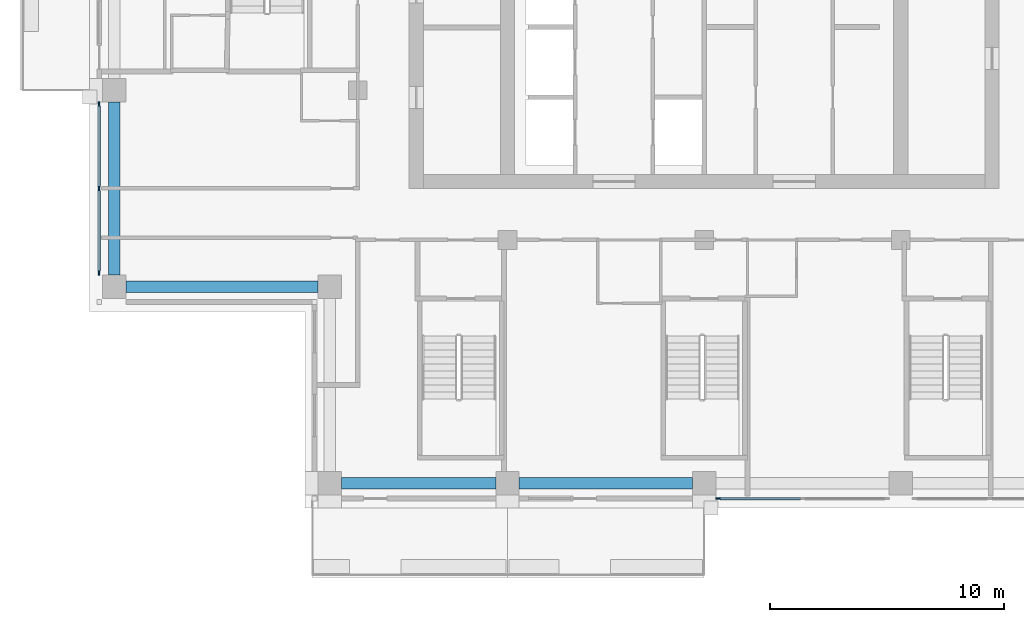
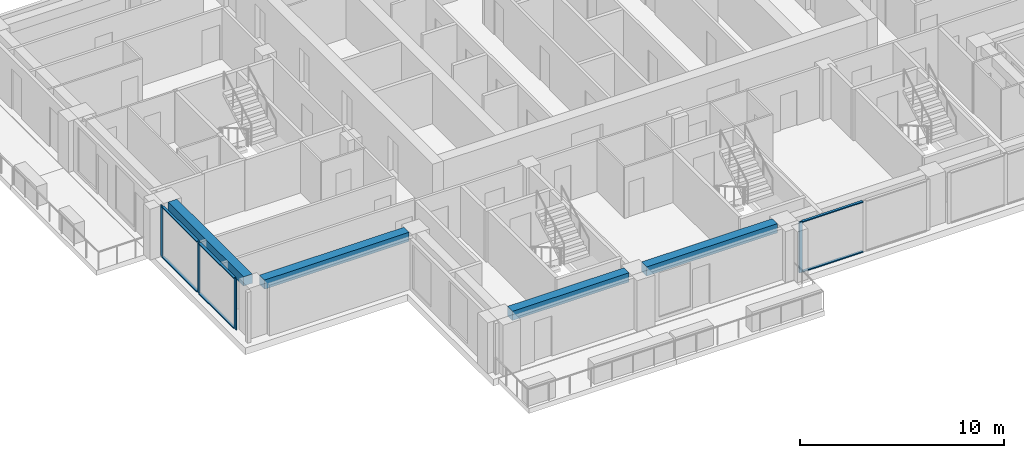
# One storey, part 2 of 17: 10 members, 4 beams, 2 elements without a shape of their own.
"""IFC4 building model written with IfcOpenShell, lengths in metres."""

from ifc_helpers import new_model, si_unit, direction, frame, origin, origin_2d, place, context, subcontext, project, spatial, rectangle, extrude, material, material_profile, profile_set, type_object, element, aggregate, save


model = new_model("IFC4")

# Units and contexts
model_context = context("Model", 3, precision=1e-05, world=origin(), true_north=direction((0.0, 1.0)))
body_context = subcontext(model_context, "Body", "Model", "MODEL_VIEW")
ifc_project = project(units=[si_unit("LENGTHUNIT", "METRE"), si_unit("AREAUNIT", "SQUARE_METRE"), si_unit("VOLUMEUNIT", "CUBIC_METRE"), si_unit("PLANEANGLEUNIT", "RADIAN"), si_unit("MASSUNIT", "GRAM", prefix="KILO")], contexts=[model_context])

# Site, building, storey
site_placement = place(None, origin())
site = spatial("IfcSite", under=ifc_project, at=site_placement, CompositionType="ELEMENT")
building_placement = place(site_placement, origin())
building = spatial("IfcBuilding", under=site, at=building_placement, Name="Vermilion Ogive Tower", CompositionType="ELEMENT")
storey_placement = place(building_placement, frame((0.0, 0.0, 196.25)))
storey = spatial("IfcBuildingStorey", under=building, at=storey_placement, Name="L51", CompositionType="ELEMENT", Elevation=196.25)

# Curtain wall, member
ifc_material_1 = material(Name="Low-iron laminated glazing in aluminium frame", Category="aluminium")
curtain_wall_type = type_object("IfcCurtainWallType", Name="Curtain wall CW7", PredefinedType="NOTDEFINED", material=ifc_material_1)
curtain_wall_1_placement = place(storey_placement, origin())
curtain_wall_1 = element("IfcCurtainWall", 1, at=curtain_wall_1_placement, inside=storey, type_object=curtain_wall_type, Name="Glazed skin S3", PredefinedType="NOTDEFINED")
ifc_material_2 = material(Name="Aluminium mullion", Category="aluminium")
ifc_material_profile_1 = material_profile(ifc_material_2, rectangle(XDim=0.06005859375, YDim=0.179931640625, at=origin_2d()), Name="AL 60x180")
ifc_profile_set_1 = profile_set([ifc_material_profile_1], Name="Aluminium mullion")
member_type_1 = type_object("IfcMemberType", Name="CW7 mullion 60x180", PredefinedType="MULLION", material=ifc_profile_set_1)
member_1_placement = place(storey_placement, frame((0.590087890625, -21.64990234375, 0.0), z_axis=(0.0, 0.0, 1.0), x_axis=(0.0, 1.0, 0.0)))
member_1 = element("IfcMember", 2, at=member_1_placement, type_object=member_type_1, Name="CW7-S3 mullion 1", PredefinedType="MULLION", context=body_context, shape_type="SweptSolid", body=[
    extrude(rectangle(XDim=0.06005859375, YDim=0.179931640625, at=origin_2d()), origin(), (0.0, 0.0, 1.0), 3.050048828125),
])

# Curtain wall, members
curtain_wall_2_placement = place(storey_placement, origin())
curtain_wall_2 = element("IfcCurtainWall", 3, at=curtain_wall_2_placement, inside=storey, type_object=curtain_wall_type, Name="Glazed skin W3", PredefinedType="NOTDEFINED")
member_2_placement = place(storey_placement, frame((-25.85009765625, -4.7900390625, 0.0), z_axis=(0.0, 0.0, 1.0), x_axis=(1.0, 0.0, 0.0)))
member_2 = element("IfcMember", 4, at=member_2_placement, type_object=member_type_1, Name="CW7-W3 mullion 1", PredefinedType="MULLION", context=body_context, shape_type="SweptSolid", body=[
    extrude(rectangle(XDim=0.06005859375, YDim=0.179931640625, at=origin_2d()), origin(), (0.0, 0.0, 1.0), 3.050048828125),
])
member_3_placement = place(storey_placement, frame((-25.85009765625, -8.39990234375, 0.0), z_axis=(0.0, 0.0, 1.0), x_axis=(1.0, 0.0, 0.0)))
member_3 = element("IfcMember", 5, at=member_3_placement, type_object=member_type_1, Name="CW7-W3 mullion 2", PredefinedType="MULLION", context=body_context, shape_type="SweptSolid", body=[
    extrude(rectangle(XDim=0.06005859375, YDim=0.179931640625, at=origin_2d()), origin(), (0.0, 0.0, 1.0), 3.050048828125),
])
member_4_placement = place(storey_placement, frame((-25.85009765625, -12.010009765625, 0.0), z_axis=(0.0, 0.0, 1.0), x_axis=(1.0, 0.0, 0.0)))
member_4 = element("IfcMember", 6, at=member_4_placement, type_object=member_type_1, Name="CW7-W3 mullion 3", PredefinedType="MULLION", context=body_context, shape_type="SweptSolid", body=[
    extrude(rectangle(XDim=0.06005859375, YDim=0.179931640625, at=origin_2d()), origin(), (0.0, 0.0, 1.0), 3.050048828125),
])

# Member
ifc_material_3 = material(Name="Aluminium transom", Category="aluminium")
ifc_material_profile_2 = material_profile(ifc_material_3, rectangle(XDim=0.139892578125, YDim=0.06005859375, at=origin_2d()), Name="AL 60x140")
ifc_profile_set_2 = profile_set([ifc_material_profile_2], Name="Aluminium transom")
member_type_2 = type_object("IfcMemberType", Name="CW7 transom 60x140", PredefinedType="USERDEFINED", material=ifc_profile_set_2)
member_5_placement = place(storey_placement, frame((0.679931640625, -21.64990234375, 0.030029296875), z_axis=(1.0, 0.0, 0.0), x_axis=(0.0, 1.0, 0.0)))
member_5 = element("IfcMember", 7, at=member_5_placement, type_object=member_type_2, Name="CW7-S3 transom 1.1", ObjectType="TRANSOM", PredefinedType="USERDEFINED", context=body_context, shape_type="SweptSolid", body=[
    extrude(rectangle(XDim=0.139892578125, YDim=0.06005859375, at=origin_2d()), origin(), (0.0, 0.0, 1.0), 3.43017578125),
])

member_6_placement = place(storey_placement, frame((0.679931640625, -21.64990234375, 3.02001953125), z_axis=(1.0, 0.0, 0.0), x_axis=(0.0, 1.0, 0.0)))
member_6 = element("IfcMember", 8, at=member_6_placement, type_object=member_type_2, Name="CW7-S3 transom 1.2", ObjectType="TRANSOM", PredefinedType="USERDEFINED", context=body_context, shape_type="SweptSolid", body=[
    extrude(rectangle(XDim=0.139892578125, YDim=0.06005859375, at=origin_2d()), origin(), (0.0, 0.0, 1.0), 3.43017578125),
])

aggregate(curtain_wall_1, [member_1, member_5, member_6])

member_7_placement = place(storey_placement, frame((-25.85009765625, -4.8798828125, 0.030029296875), z_axis=(0.0, -1.0, 0.0), x_axis=(1.0, 0.0, 0.0)))
member_7 = element("IfcMember", 9, at=member_7_placement, type_object=member_type_2, Name="CW7-W3 transom 1.1", ObjectType="TRANSOM", PredefinedType="USERDEFINED", context=body_context, shape_type="SweptSolid", body=[
    extrude(rectangle(XDim=0.139892578125, YDim=0.06005859375, at=origin_2d()), origin(), (0.0, 0.0, 1.0), 3.43017578125),
])

member_8_placement = place(storey_placement, frame((-25.85009765625, -4.8798828125, 3.02001953125), z_axis=(0.0, -1.0, 0.0), x_axis=(1.0, 0.0, 0.0)))
member_8 = element("IfcMember", 10, at=member_8_placement, type_object=member_type_2, Name="CW7-W3 transom 1.2", ObjectType="TRANSOM", PredefinedType="USERDEFINED", context=body_context, shape_type="SweptSolid", body=[
    extrude(rectangle(XDim=0.139892578125, YDim=0.06005859375, at=origin_2d()), origin(), (0.0, 0.0, 1.0), 3.43017578125),
])

member_9_placement = place(storey_placement, frame((-25.85009765625, -8.489990234375, 0.030029296875), z_axis=(0.0, -1.0, 0.0), x_axis=(1.0, 0.0, 0.0)))
member_9 = element("IfcMember", 11, at=member_9_placement, type_object=member_type_2, Name="CW7-W3 transom 2.1", ObjectType="TRANSOM", PredefinedType="USERDEFINED", context=body_context, shape_type="SweptSolid", body=[
    extrude(rectangle(XDim=0.139892578125, YDim=0.06005859375, at=origin_2d()), origin(), (0.0, 0.0, 1.0), 3.429931640625),
])

member_10_placement = place(storey_placement, frame((-25.85009765625, -8.489990234375, 3.02001953125), z_axis=(0.0, -1.0, 0.0), x_axis=(1.0, 0.0, 0.0)))
member_10 = element("IfcMember", 12, at=member_10_placement, type_object=member_type_2, Name="CW7-W3 transom 2.2", ObjectType="TRANSOM", PredefinedType="USERDEFINED", context=body_context, shape_type="SweptSolid", body=[
    extrude(rectangle(XDim=0.139892578125, YDim=0.06005859375, at=origin_2d()), origin(), (0.0, 0.0, 1.0), 3.429931640625),
])

aggregate(curtain_wall_2, [member_2, member_3, member_4, member_7, member_8, member_9, member_10])

# Beams
ifc_material_4 = material(Name="Concrete B45", Category="concrete")
ifc_material_profile_3 = material_profile(ifc_material_4, rectangle(XDim=0.5, YDim=0.550048828125, at=origin_2d()), Name="500 x 550")
ifc_profile_set_3 = profile_set([ifc_material_profile_3], Name="Concrete B45")
beam_type = type_object("IfcBeamType", Name="Edge beam 500 x 550 B45", PredefinedType="BEAM", material=ifc_profile_set_3)
beam_1_placement = place(storey_placement, frame((-15.5, -21.0, 2.77490234375), z_axis=(1.0, 0.0, 0.0), x_axis=(0.0, 1.0, 0.0)))
element("IfcBeam", 13, at=beam_1_placement, inside=storey, type_object=beam_type, Name="L51-EB-1", PredefinedType="BEAM", context=body_context, shape_type="SweptSolid", body=[
    extrude(rectangle(XDim=0.5, YDim=0.550048828125, at=origin_2d()), origin(), (0.0, 0.0, 1.0), 6.60009765625),
])
beam_2_placement = place(storey_placement, frame((-7.89990234375, -21.0, 2.77490234375), z_axis=(1.0, 0.0, 0.0), x_axis=(0.0, 1.0, 0.0)))
element("IfcBeam", 14, at=beam_2_placement, inside=storey, type_object=beam_type, Name="L51-EB-2", PredefinedType="BEAM", context=body_context, shape_type="SweptSolid", body=[
    extrude(rectangle(XDim=0.5, YDim=0.550048828125, at=origin_2d()), origin(), (0.0, 0.0, 1.0), 7.39990234375),
])
beam_3_placement = place(storey_placement, frame((-25.199951171875, -4.699951171875, 2.77490234375), z_axis=(0.0, -1.0, 0.0), x_axis=(1.0, 0.0, 0.0)))
element("IfcBeam", 15, at=beam_3_placement, inside=storey, type_object=beam_type, Name="L51-EB-16", PredefinedType="BEAM", context=body_context, shape_type="SweptSolid", body=[
    extrude(rectangle(XDim=0.5, YDim=0.550048828125, at=origin_2d()), origin(), (0.0, 0.0, 1.0), 7.400146484375),
])
beam_4_placement = place(storey_placement, frame((-24.699951171875, -12.60009765625, 2.77490234375), z_axis=(1.0, 0.0, 0.0), x_axis=(0.0, 1.0, 0.0)))
element("IfcBeam", 16, at=beam_4_placement, inside=storey, type_object=beam_type, Name="L51-EB-17", PredefinedType="BEAM", context=body_context, shape_type="SweptSolid", body=[
    extrude(rectangle(XDim=0.5, YDim=0.550048828125, at=origin_2d()), origin(), (0.0, 0.0, 1.0), 8.199951171875),
])

save(model, "model.ifc")
